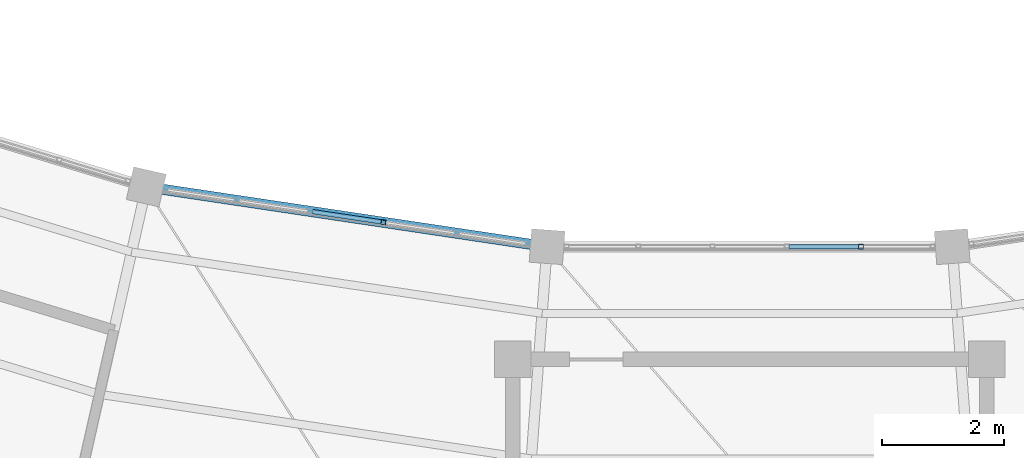
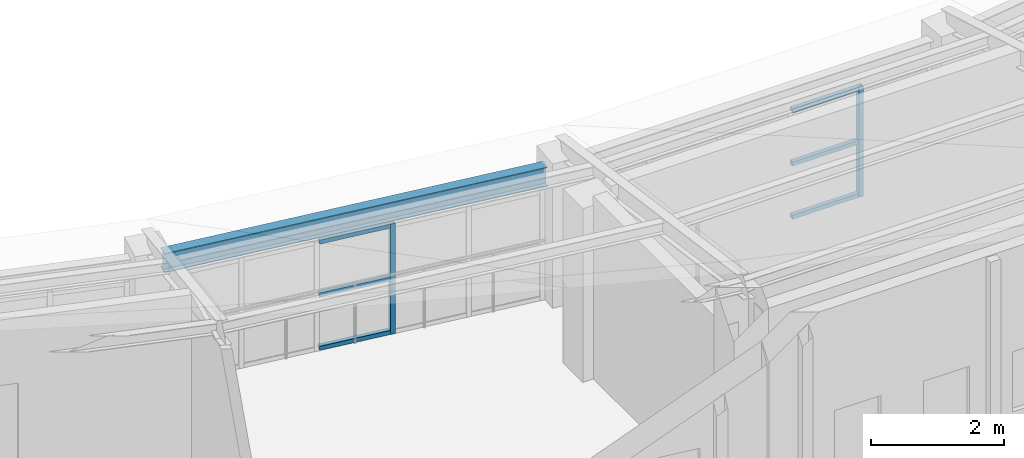
# One storey, part 38 of 149: 8 members, 1 beam, 2 elements without a shape of their own.
"""IFC4 building model written with IfcOpenShell, lengths in metres."""

from ifc_helpers import new_model, si_unit, direction, frame, origin, origin_2d, place, context, subcontext, project, spatial, hollow_rectangle, i_section, extrude, material, material_profile, profile_set, type_object, element, aggregate, save


model = new_model("IFC4")

# Units and contexts
model_context = context("Model", 3, precision=1e-05, world=origin(), true_north=direction((0.0, 1.0)))
body_context = subcontext(model_context, "Body", "Model", "MODEL_VIEW")
ifc_project = project(units=[si_unit("LENGTHUNIT", "METRE"), si_unit("AREAUNIT", "SQUARE_METRE"), si_unit("VOLUMEUNIT", "CUBIC_METRE"), si_unit("PLANEANGLEUNIT", "RADIAN"), si_unit("MASSUNIT", "GRAM", prefix="KILO")], contexts=[model_context])

# Site, building, storey
site_placement = place(None, origin())
site = spatial("IfcSite", under=ifc_project, at=site_placement, CompositionType="ELEMENT")
building_placement = place(site_placement, origin())
building = spatial("IfcBuilding", under=site, at=building_placement, Name="Celadon Cloister-Ring School", CompositionType="ELEMENT")
storey_placement = place(building_placement, frame((0.0, 0.0, 12.5)))
storey = spatial("IfcBuildingStorey", under=building, at=storey_placement, Name="L03", CompositionType="ELEMENT", Elevation=12.5)

# Curtain wall, member
ifc_material_1 = material(Name="Aluminium EN AW-6063 T6", Category="aluminium")
curtain_wall_type = type_object("IfcCurtainWallType", Name="CW-02", PredefinedType="USERDEFINED", material=ifc_material_1)
curtain_wall_1_placement = place(storey_placement, origin())
curtain_wall_1 = element("IfcCurtainWall", 1, at=curtain_wall_1_placement, inside=storey, type_object=curtain_wall_type, Name="Curtain Wall 0060", ObjectType="CURTAIN WALL", PredefinedType="USERDEFINED")
ifc_material_2 = material(Name="Aluminium EN AW-6063 T6", Category="aluminium")
ifc_material_profile_1 = material_profile(ifc_material_2, hollow_rectangle(XDim=0.080078125, YDim=0.080078125, WallThickness=0.00390625, at=origin_2d()), Name="RHS80X80X4")
ifc_profile_set_1 = profile_set([ifc_material_profile_1], Name="Aluminium EN AW-6063 T6")
member_type_1 = type_object("IfcMemberType", Name="CM-03", PredefinedType="MULLION", material=ifc_profile_set_1)
member_1_placement = place(storey_placement, frame((80.97412109375, 14.526123046875, 0.0), z_axis=(0.0, 0.0, 1.0), x_axis=(0.147812141048, 0.989015455369, 0.0)))
member_1 = element("IfcMember", 2, at=member_1_placement, type_object=member_type_1, Name="CW-02 mullion 4", PredefinedType="MULLION", context=body_context, shape_type="SweptSolid", body=[
    extrude(hollow_rectangle(XDim=0.080078125, YDim=0.080078125, WallThickness=0.00390625, at=origin_2d()), origin(), (0.0, 0.0, 1.0), 2.02001953125),
])

curtain_wall_2_placement = place(storey_placement, origin())
curtain_wall_2 = element("IfcCurtainWall", 3, at=curtain_wall_2_placement, inside=storey, type_object=curtain_wall_type, Name="Curtain Wall 0061", ObjectType="CURTAIN WALL", PredefinedType="USERDEFINED")
member_2_placement = place(storey_placement, frame((88.83251953125, 14.1240234375, 0.0), z_axis=(0.0, 0.0, 1.0), x_axis=(0.0, 1.0, 0.0)))
member_2 = element("IfcMember", 4, at=member_2_placement, type_object=member_type_1, Name="CW-02 mullion 5", PredefinedType="MULLION", context=body_context, shape_type="SweptSolid", body=[
    extrude(hollow_rectangle(XDim=0.080078125, YDim=0.080078125, WallThickness=0.00390625, at=origin_2d()), origin(), (0.0, 0.0, 1.0), 2.02001953125),
])

# Member
ifc_material_3 = material(Name="Aluminium EN AW-6063 T6", Category="aluminium")
ifc_material_profile_2 = material_profile(ifc_material_3, hollow_rectangle(XDim=0.074951171875, YDim=0.074951171875, WallThickness=0.00390625, at=origin_2d()), Name="RHS75X75X4")
ifc_profile_set_2 = profile_set([ifc_material_profile_2], Name="Aluminium EN AW-6063 T6")
member_type_2 = type_object("IfcMemberType", Name="CTM-03", PredefinedType="USERDEFINED", material=ifc_profile_set_2)
member_3_placement = place(storey_placement, frame((79.805419921875, 14.700927734375, 0.03759765625), z_axis=(0.98902245469, -0.147765300798, 0.0), x_axis=(0.147765300798, 0.98902245469, 0.0)))
member_3 = element("IfcMember", 5, at=member_3_placement, type_object=member_type_2, Name="CW-02 transom 3.1", ObjectType="TRANSOM", PredefinedType="USERDEFINED", context=body_context, shape_type="SweptSolid", body=[
    extrude(hollow_rectangle(XDim=0.074951171875, YDim=0.074951171875, WallThickness=0.00390625, at=origin_2d()), origin(), (0.0, 0.0, 1.0), 1.1416015625),
])

member_4_placement = place(storey_placement, frame((79.805419921875, 14.700927734375, 1.010009765625), z_axis=(0.98902245469, -0.147765300798, 0.0), x_axis=(0.147765300798, 0.98902245469, 0.0)))
member_4 = element("IfcMember", 6, at=member_4_placement, type_object=member_type_2, Name="CW-02 transom 3.2", ObjectType="TRANSOM", PredefinedType="USERDEFINED", context=body_context, shape_type="SweptSolid", body=[
    extrude(hollow_rectangle(XDim=0.074951171875, YDim=0.074951171875, WallThickness=0.00390625, at=origin_2d()), origin(), (0.0, 0.0, 1.0), 1.1416015625),
])

member_5_placement = place(storey_placement, frame((79.805419921875, 14.700927734375, 1.982421875), z_axis=(0.98902245469, -0.147765300798, 0.0), x_axis=(0.147765300798, 0.98902245469, 0.0)))
member_5 = element("IfcMember", 7, at=member_5_placement, type_object=member_type_2, Name="CW-02 transom 3.3", ObjectType="TRANSOM", PredefinedType="USERDEFINED", context=body_context, shape_type="SweptSolid", body=[
    extrude(hollow_rectangle(XDim=0.074951171875, YDim=0.074951171875, WallThickness=0.00390625, at=origin_2d()), origin(), (0.0, 0.0, 1.0), 1.1416015625),
])

aggregate(curtain_wall_1, [member_1, member_3, member_4, member_5])

member_6_placement = place(storey_placement, frame((87.65087890625, 14.1240234375, 0.03759765625), z_axis=(1.0, 0.0, 0.0), x_axis=(0.0, 1.0, 0.0)))
member_6 = element("IfcMember", 8, at=member_6_placement, type_object=member_type_2, Name="CW-02 transom 4.1", ObjectType="TRANSOM", PredefinedType="USERDEFINED", context=body_context, shape_type="SweptSolid", body=[
    extrude(hollow_rectangle(XDim=0.074951171875, YDim=0.074951171875, WallThickness=0.00390625, at=origin_2d()), origin(), (0.0, 0.0, 1.0), 1.1416015625),
])

member_7_placement = place(storey_placement, frame((87.65087890625, 14.1240234375, 1.010009765625), z_axis=(1.0, 0.0, 0.0), x_axis=(0.0, 1.0, 0.0)))
member_7 = element("IfcMember", 9, at=member_7_placement, type_object=member_type_2, Name="CW-02 transom 4.2", ObjectType="TRANSOM", PredefinedType="USERDEFINED", context=body_context, shape_type="SweptSolid", body=[
    extrude(hollow_rectangle(XDim=0.074951171875, YDim=0.074951171875, WallThickness=0.00390625, at=origin_2d()), origin(), (0.0, 0.0, 1.0), 1.1416015625),
])

member_8_placement = place(storey_placement, frame((87.65087890625, 14.1240234375, 1.982421875), z_axis=(1.0, 0.0, 0.0), x_axis=(0.0, 1.0, 0.0)))
member_8 = element("IfcMember", 10, at=member_8_placement, type_object=member_type_2, Name="CW-02 transom 4.3", ObjectType="TRANSOM", PredefinedType="USERDEFINED", context=body_context, shape_type="SweptSolid", body=[
    extrude(hollow_rectangle(XDim=0.074951171875, YDim=0.074951171875, WallThickness=0.00390625, at=origin_2d()), origin(), (0.0, 0.0, 1.0), 1.1416015625),
])

aggregate(curtain_wall_2, [member_2, member_6, member_7, member_8])

# Beam
ifc_material_4 = material(Name="Structural steel S355JR", Category="steel")
ifc_material_profile_3 = material_profile(ifc_material_4, i_section(OverallWidth=0.1708984375, OverallDepth=0.35498046875, WebThickness=0.007080078125, FlangeThickness=0.01171875, at=origin_2d()), Name="W360X51")
ifc_profile_set_3 = profile_set([ifc_material_profile_3], Name="Structural steel S355JR")
beam_type = type_object("IfcBeamType", Name="GT-08", PredefinedType="USERDEFINED", material=ifc_profile_set_3)
beam_placement = place(storey_placement, frame((77.320068359375, 15.072021484375, 2.27197265625), z_axis=(0.989027626238, -0.147730682454, 0.0), x_axis=(0.147730682454, 0.989027626238, 0.0)))
element("IfcBeam", 11, at=beam_placement, inside=storey, type_object=beam_type, Name="Beam 0556", ObjectType="GIRDER", PredefinedType="USERDEFINED", context=body_context, shape_type="SweptSolid", body=[
    extrude(i_section(OverallWidth=0.1708984375, OverallDepth=0.35498046875, WebThickness=0.007080078125, FlangeThickness=0.01171875, at=origin_2d()), origin(), (0.0, 0.0, 1.0), 6.16748046875),
])

save(model, "model.ifc")
